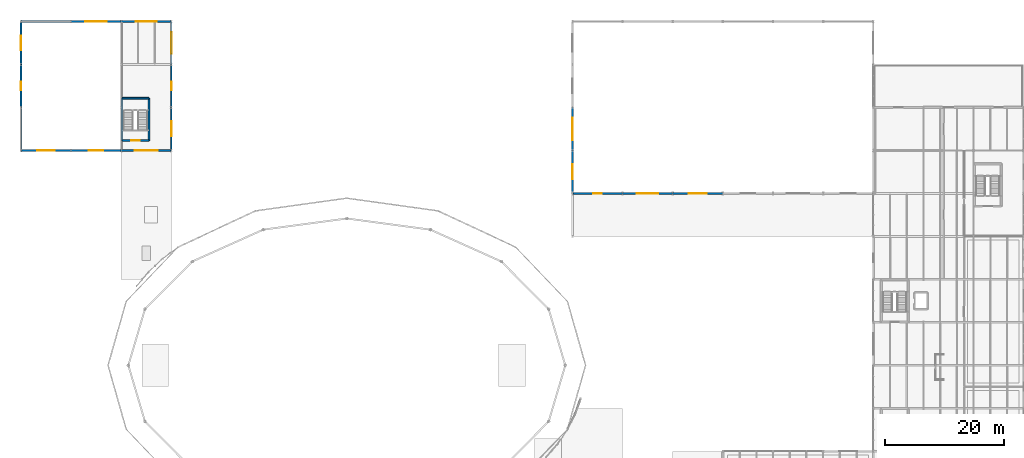
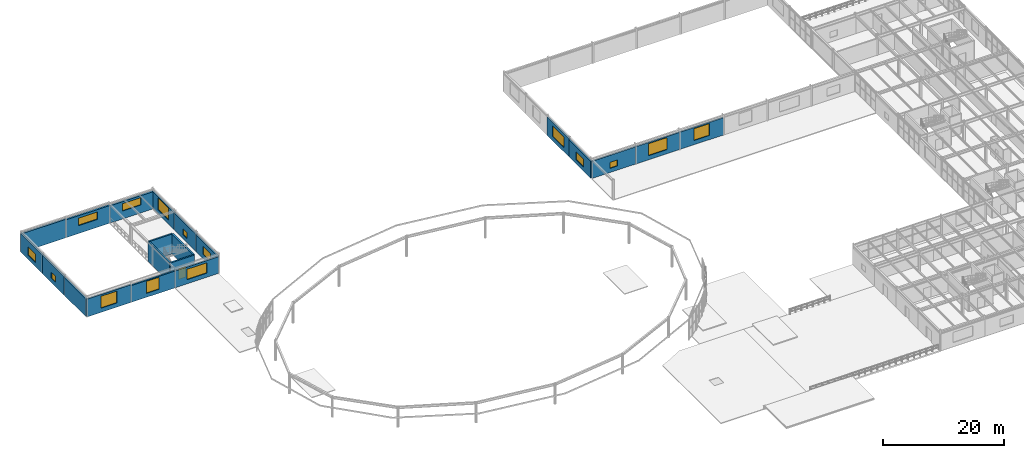
# One storey, part 63 of 73: 21 walls, 15 windows, 1 door, 16 openings.
"""IFC4 building model written with IfcOpenShell, lengths in metres."""

from ifc_helpers import new_model, si_unit, derived_unit, direction, frame, frame_2d, origin, place, context, subcontext, project, spatial, rectangle, extrude, material, layer, layer_set, type_object, element, fill, save


model = new_model("IFC4")

# Units and contexts
model_context = context("Model", 3, precision=1e-05, world=origin(), true_north=direction((0.0, 1.0)))
body_context = subcontext(model_context, "Body", "Model", "MODEL_VIEW")
ifc_project = project(units=[si_unit("LENGTHUNIT", "METRE"), si_unit("AREAUNIT", "SQUARE_METRE"), si_unit("VOLUMEUNIT", "CUBIC_METRE"), si_unit("PLANEANGLEUNIT", "RADIAN"), si_unit("MASSUNIT", "GRAM", prefix="KILO"), derived_unit("THERMALTRANSMITTANCEUNIT", [(si_unit("MASSUNIT", "GRAM", prefix="KILO"), 1), (si_unit("TIMEUNIT", "SECOND"), -3), (si_unit("THERMODYNAMICTEMPERATUREUNIT", "KELVIN"), -1)])], contexts=[model_context])

# Site, building, storey
site_placement = place(None, origin())
site = spatial("IfcSite", under=ifc_project, at=site_placement, CompositionType="ELEMENT")
building_placement = place(site_placement, origin())
building = spatial("IfcBuilding", under=site, at=building_placement, Name="Kharveza Railside Sports Centre", CompositionType="ELEMENT")
storey_placement = place(building_placement, frame((0.0, 0.0, 8.699951171875)))
storey = spatial("IfcBuildingStorey", under=building, at=storey_placement, Name="L02", CompositionType="ELEMENT", Elevation=8.699951171875)

# Wall, opening, window
ifc_material_1 = material(Name="Acoustic mineral-wool metal cladding panel")
ifc_layer_1 = layer(ifc_material_1, 0.340087890625, Name="Acoustic mineral-wool metal cladding panel")
ifc_layer_set_1 = layer_set([ifc_layer_1], Name="Acoustic mineral-wool metal cladding panel")
wall_type_1 = type_object("IfcWallType", Name="WL-AC340", PredefinedType="STANDARD", material=ifc_layer_set_1)
wall_1_placement = place(storey_placement, frame((16.800048828125, 108.0, 0.0), z_axis=(0.0, 0.0, 1.0), x_axis=(-1.0, 0.0, 0.0)))
wall_1 = element("IfcWall", 1, at=wall_1_placement, inside=storey, type_object=wall_type_1, Name="WL-EXT-L02-200", PredefinedType="STANDARD", context=body_context, shape_type="SweptSolid", body=[
    extrude(rectangle(XDim=8.400146484375, YDim=0.340087890625, at=frame_2d((4.2001953125, 0.0))), origin(), (0.0, 0.0, 1.0), 3.594970703125),
])
opening_1_placement = place(wall_1_placement, frame((2.39990234375, 0.0, 1.60009765625)))
opening_1 = element("IfcOpeningElement", 2, at=opening_1_placement, cuts=wall_1, Name="Opening WN11", PredefinedType="OPENING", context=body_context, shape_type="SweptSolid", body=[
    extrude(rectangle(XDim=3.60009765625, YDim=1.5, at=frame_2d((1.800048828125, 0.75))), frame((0.0, 0.19482421875, 0.0), z_axis=(0.0, -1.0, 0.0), x_axis=(1.0, 0.0, 0.0)), (0.0, 0.0, 1.0), 0.389892578125),
])
ifc_material_2 = material(Name="Low-E solar-control laminated glass", Category="glass")
window_type_1 = type_object("IfcWindowType", Name="WN-F11", PartitioningType="SINGLE_PANEL", PredefinedType="WINDOW", material=ifc_material_2)
window_1_placement = place(opening_1_placement, origin())
window_1 = element("IfcWindow", 3, at=window_1_placement, inside=storey, type_object=window_type_1, Name="WN-EXT-L02-114", OverallHeight=1.5, OverallWidth=3.60009765625, PartitioningType="SINGLE_PANEL", PredefinedType="WINDOW", context=body_context, shape_type="SweptSolid", body=[
    extrude(rectangle(XDim=3.60009765625, YDim=1.5, at=frame_2d((1.800048828125, 0.75))), frame((0.0, 0.030029296875, 0.0), z_axis=(0.0, -1.0, 0.0), x_axis=(1.0, 0.0, 0.0)), (0.0, 0.0, 1.0), 0.06005859375),
])
fill(opening_1, window_1)

# Wall
wall_2_placement = place(storey_placement, frame((8.39990234375, 108.0, 0.0), z_axis=(0.0, 0.0, 1.0), x_axis=(-1.0, 0.0, 0.0)))
element("IfcWall", 4, at=wall_2_placement, inside=storey, type_object=wall_type_1, Name="WL-EXT-L02-201", PredefinedType="STANDARD", context=body_context, shape_type="SweptSolid", body=[
    extrude(rectangle(XDim=8.39990234375, YDim=0.340087890625, at=frame_2d((4.199951171875, 0.0))), origin(), (0.0, 0.0, 1.0), 3.7451171875),
])

# Wall, opening, window
wall_3_placement = place(storey_placement, frame((25.199951171875, 108.0, 0.0), z_axis=(0.0, 0.0, 1.0), x_axis=(-1.0, 0.0, 0.0)))
wall_3 = element("IfcWall", 5, at=wall_3_placement, inside=storey, type_object=wall_type_1, Name="WL-EXT-L02-211", PredefinedType="STANDARD", context=body_context, shape_type="SweptSolid", body=[
    extrude(rectangle(XDim=8.39990234375, YDim=0.340087890625, at=frame_2d((4.199951171875, 0.0))), origin(), (0.0, 0.0, 1.0), 3.485107421875),
])
opening_2_placement = place(wall_3_placement, frame((2.39990234375, 0.0, 1.60009765625)))
opening_2 = element("IfcOpeningElement", 6, at=opening_2_placement, cuts=wall_3, Name="Opening WN11", PredefinedType="OPENING", context=body_context, shape_type="SweptSolid", body=[
    extrude(rectangle(XDim=3.60009765625, YDim=1.5, at=frame_2d((1.800048828125, 0.75))), frame((0.0, 0.19482421875, 0.0), z_axis=(0.0, -1.0, 0.0), x_axis=(1.0, 0.0, 0.0)), (0.0, 0.0, 1.0), 0.389892578125),
])
window_2_placement = place(opening_2_placement, origin())
window_2 = element("IfcWindow", 7, at=window_2_placement, inside=storey, type_object=window_type_1, Name="WN-EXT-L02-123", OverallHeight=1.5, OverallWidth=3.60009765625, PartitioningType="SINGLE_PANEL", PredefinedType="WINDOW", context=body_context, shape_type="SweptSolid", body=[
    extrude(rectangle(XDim=3.60009765625, YDim=1.5, at=frame_2d((1.800048828125, 0.75))), frame((0.0, 0.030029296875, 0.0), z_axis=(0.0, -1.0, 0.0), x_axis=(1.0, 0.0, 0.0)), (0.0, 0.0, 1.0), 0.06005859375),
])
fill(opening_2, window_2)

# Wall, opening, door
ifc_material_3 = material(Name="Concrete C35/45", Category="concrete")
ifc_layer_2 = layer(ifc_material_3, 0.300048828125, Name="Concrete C35/45")
ifc_layer_set_2 = layer_set([ifc_layer_2], Name="Concrete C35/45")
wall_type_2 = type_object("IfcWallType", Name="WL-CR300", PredefinedType="SHEAR", material=ifc_layer_set_2)
wall_4_placement = place(storey_placement, frame((16.949951171875, 88.050048828125, 0.0), z_axis=(0.0, 0.0, 1.0), x_axis=(1.0, 0.0, 0.0)))
wall_4 = element("IfcWall", 8, at=wall_4_placement, inside=storey, type_object=wall_type_2, Name="WL-CORE-ST6-L02-S", PredefinedType="SHEAR", context=body_context, shape_type="SweptSolid", body=[
    extrude(rectangle(XDim=4.5, YDim=0.300048828125, at=frame_2d((2.25, 0.0))), origin(), (0.0, 0.0, 1.0), 4.0),
])
opening_3_placement = place(wall_4_placement, frame((1.550048828125, 0.0, 0.0)))
opening_3 = element("IfcOpeningElement", 9, at=opening_3_placement, cuts=wall_4, Name="Opening D09", PredefinedType="OPENING", context=body_context, shape_type="SweptSolid", body=[
    extrude(rectangle(XDim=1.39990234375, YDim=2.199951171875, at=frame_2d((0.699951171875, 1.10009765625))), frame((0.0, 0.1748046875, 0.0), z_axis=(0.0, -1.0, 0.0), x_axis=(1.0, 0.0, 0.0)), (0.0, 0.0, 1.0), 0.349853515625),
])
ifc_material_4 = material(Name="Fire-rated hardwood door leaf", Category="wood")
door_type = type_object("IfcDoorType", Name="DR-ST02", OperationType="NOTDEFINED", PredefinedType="DOOR", material=ifc_material_4)
door_placement = place(opening_3_placement, frame((1.39990234375, 0.0, 0.0), z_axis=(0.0, 0.0, 1.0), x_axis=(-1.0, 0.0, 0.0)))
door = element("IfcDoor", 10, at=door_placement, inside=storey, type_object=door_type, Name="DR-ST-ST6-L02", OperationType="SINGLE_SWING_RIGHT", OverallHeight=2.199951171875, OverallWidth=1.39990234375, PredefinedType="DOOR", context=body_context, shape_type="SweptSolid", body=[
    extrude(rectangle(XDim=1.39990234375, YDim=2.199951171875, at=frame_2d((0.699951171875, 1.10009765625))), frame((0.0, 0.02490234375, 0.0), z_axis=(0.0, -1.0, 0.0), x_axis=(1.0, 0.0, 0.0)), (0.0, 0.0, 1.0), 0.050048828125),
])
fill(opening_3, door)

# Walls
wall_5_placement = place(storey_placement, frame((21.449951171875, 88.050048828125, 0.0), z_axis=(0.0, 0.0, 1.0), x_axis=(0.0, 1.0, 0.0)))
element("IfcWall", 11, at=wall_5_placement, inside=storey, type_object=wall_type_2, Name="WL-CORE-ST6-L02-E", PredefinedType="SHEAR", context=body_context, shape_type="SweptSolid", body=[
    extrude(rectangle(XDim=7.099853515625, YDim=0.300048828125, at=frame_2d((3.5498046875, 0.0))), origin(), (0.0, 0.0, 1.0), 4.0),
])
wall_6_placement = place(storey_placement, frame((21.449951171875, 95.14990234375, 0.0), z_axis=(0.0, 0.0, 1.0), x_axis=(-1.0, 0.0, 0.0)))
element("IfcWall", 12, at=wall_6_placement, inside=storey, type_object=wall_type_2, Name="WL-CORE-ST6-L02-N", PredefinedType="SHEAR", context=body_context, shape_type="SweptSolid", body=[
    extrude(rectangle(XDim=4.5, YDim=0.300048828125, at=frame_2d((2.25, 0.0))), origin(), (0.0, 0.0, 1.0), 4.0),
])
wall_7_placement = place(storey_placement, frame((16.949951171875, 95.14990234375, 0.0), z_axis=(0.0, 0.0, 1.0), x_axis=(0.0, -1.0, 0.0)))
element("IfcWall", 13, at=wall_7_placement, inside=storey, type_object=wall_type_2, Name="WL-CORE-ST6-L02-W", PredefinedType="SHEAR", context=body_context, shape_type="SweptSolid", body=[
    extrude(rectangle(XDim=7.099853515625, YDim=0.300048828125, at=frame_2d((3.5498046875, 0.0))), origin(), (0.0, 0.0, 1.0), 4.0),
])

# Wall, opening, window
ifc_layer_3 = layer(ifc_material_1, 0.2900390625, Name="Acoustic mineral-wool metal cladding panel")
ifc_layer_set_3 = layer_set([ifc_layer_3], Name="Acoustic mineral-wool metal cladding panel")
wall_type_3 = type_object("IfcWallType", Name="WL-EX290", PredefinedType="STANDARD", material=ifc_layer_set_3)
wall_8_placement = place(storey_placement, frame((92.39990234375, 93.60009765625, 0.0), z_axis=(0.0, 0.0, 1.0), x_axis=(0.0, -1.0, 0.0)))
wall_8 = element("IfcWall", 14, at=wall_8_placement, inside=storey, type_object=wall_type_3, Name="WL-EXT-L02-189", PredefinedType="STANDARD", context=body_context, shape_type="SweptSolid", body=[
    extrude(rectangle(XDim=7.2001953125, YDim=0.2900390625, at=frame_2d((3.60009765625, 0.0))), origin(), (0.0, 0.0, 1.0), 3.675048828125),
])
opening_4_placement = place(wall_8_placement, frame((1.699951171875, 0.0, 0.85009765625)))
opening_4 = element("IfcOpeningElement", 15, at=opening_4_placement, cuts=wall_8, Name="Opening WN17", PredefinedType="OPENING", context=body_context, shape_type="SweptSolid", body=[
    extrude(rectangle(XDim=3.800048828125, YDim=2.10009765625, at=frame_2d((1.89990234375, 1.050048828125))), frame((0.0, 0.169921875, 0.0), z_axis=(0.0, -1.0, 0.0), x_axis=(1.0, 0.0, 0.0)), (0.0, 0.0, 1.0), 0.33984375),
])
window_type_2 = type_object("IfcWindowType", Name="WN-Z01", PartitioningType="SINGLE_PANEL", PredefinedType="WINDOW", material=ifc_material_2)
window_3_placement = place(opening_4_placement, origin())
window_3 = element("IfcWindow", 16, at=window_3_placement, inside=storey, type_object=window_type_2, Name="WN-EXT-L02-103", OverallHeight=2.10009765625, OverallWidth=3.800048828125, PartitioningType="SINGLE_PANEL", PredefinedType="WINDOW", context=body_context, shape_type="SweptSolid", body=[
    extrude(rectangle(XDim=3.800048828125, YDim=2.10009765625, at=frame_2d((1.89990234375, 1.050048828125))), frame((0.0, 0.030029296875, 0.0), z_axis=(0.0, -1.0, 0.0), x_axis=(1.0, 0.0, 0.0)), (0.0, 0.0, 1.0), 0.06005859375),
])
fill(opening_4, window_3)

wall_9_placement = place(storey_placement, frame((92.39990234375, 86.39990234375, 0.0), z_axis=(0.0, 0.0, 1.0), x_axis=(0.0, -1.0, 0.0)))
wall_9 = element("IfcWall", 17, at=wall_9_placement, inside=storey, type_object=wall_type_3, Name="WL-EXT-L02-190", PredefinedType="STANDARD", context=body_context, shape_type="SweptSolid", body=[
    extrude(rectangle(XDim=7.199951171875, YDim=0.2900390625, at=frame_2d((3.60009765625, 0.0))), origin(), (0.0, 0.0, 1.0), 3.485107421875),
])
opening_5_placement = place(wall_9_placement, frame((2.35009765625, 0.0, 0.85009765625)))
opening_5 = element("IfcOpeningElement", 18, at=opening_5_placement, cuts=wall_9, Name="Opening WN21", PredefinedType="OPENING", context=body_context, shape_type="SweptSolid", body=[
    extrude(rectangle(XDim=2.5, YDim=1.64990234375, at=frame_2d((1.25, 0.824951171875))), frame((0.0, 0.169921875, 0.0), z_axis=(0.0, -1.0, 0.0), x_axis=(1.0, 0.0, 0.0)), (0.0, 0.0, 1.0), 0.33984375),
])
window_type_3 = type_object("IfcWindowType", Name="WN-Z05", PartitioningType="SINGLE_PANEL", PredefinedType="WINDOW", material=ifc_material_2)
window_4_placement = place(opening_5_placement, origin())
window_4 = element("IfcWindow", 19, at=window_4_placement, inside=storey, type_object=window_type_3, Name="WN-EXT-L02-104", OverallHeight=1.64990234375, OverallWidth=2.5, PartitioningType="SINGLE_PANEL", PredefinedType="WINDOW", context=body_context, shape_type="SweptSolid", body=[
    extrude(rectangle(XDim=2.5, YDim=1.64990234375, at=frame_2d((1.25, 0.824951171875))), frame((0.0, 0.030029296875, 0.0), z_axis=(0.0, -1.0, 0.0), x_axis=(1.0, 0.0, 0.0)), (0.0, 0.0, 1.0), 0.06005859375),
])
fill(opening_5, window_4)

wall_10_placement = place(storey_placement, frame((92.39990234375, 79.199951171875, 0.0), z_axis=(0.0, 0.0, 1.0), x_axis=(1.0, 0.0, 0.0)))
wall_10 = element("IfcWall", 20, at=wall_10_placement, inside=storey, type_object=wall_type_3, Name="WL-EXT-L02-191", PredefinedType="STANDARD", context=body_context, shape_type="SweptSolid", body=[
    extrude(rectangle(XDim=8.400146484375, YDim=0.2900390625, at=frame_2d((4.2001953125, 0.0))), origin(), (0.0, 0.0, 1.0), 3.485107421875),
])
opening_6_placement = place(wall_10_placement, frame((3.5, 0.0, 0.85009765625)))
opening_6 = element("IfcOpeningElement", 21, at=opening_6_placement, cuts=wall_10, Name="Opening WN26", PredefinedType="OPENING", context=body_context, shape_type="SweptSolid", body=[
    extrude(rectangle(XDim=1.39990234375, YDim=1.199951171875, at=frame_2d((0.699951171875, 0.60009765625))), frame((0.0, 0.169921875, 0.0), z_axis=(0.0, -1.0, 0.0), x_axis=(1.0, 0.0, 0.0)), (0.0, 0.0, 1.0), 0.33984375),
])
window_type_4 = type_object("IfcWindowType", Name="WN-Z10", PartitioningType="SINGLE_PANEL", PredefinedType="WINDOW", material=ifc_material_2)
window_5_placement = place(opening_6_placement, origin())
window_5 = element("IfcWindow", 22, at=window_5_placement, inside=storey, type_object=window_type_4, Name="WN-EXT-L02-105", OverallHeight=1.199951171875, OverallWidth=1.39990234375, PartitioningType="SINGLE_PANEL", PredefinedType="WINDOW", context=body_context, shape_type="SweptSolid", body=[
    extrude(rectangle(XDim=1.39990234375, YDim=1.199951171875, at=frame_2d((0.699951171875, 0.60009765625))), frame((0.0, 0.030029296875, 0.0), z_axis=(0.0, -1.0, 0.0), x_axis=(1.0, 0.0, 0.0)), (0.0, 0.0, 1.0), 0.06005859375),
])
fill(opening_6, window_5)

wall_11_placement = place(storey_placement, frame((100.800048828125, 79.199951171875, 0.0), z_axis=(0.0, 0.0, 1.0), x_axis=(1.0, 0.0, 0.0)))
wall_11 = element("IfcWall", 23, at=wall_11_placement, inside=storey, type_object=wall_type_3, Name="WL-EXT-L02-192", PredefinedType="STANDARD", context=body_context, shape_type="SweptSolid", body=[
    extrude(rectangle(XDim=8.39990234375, YDim=0.2900390625, at=frame_2d((4.199951171875, 0.0))), origin(), (0.0, 0.0, 1.0), 3.485107421875),
])
opening_7_placement = place(wall_11_placement, frame((2.39990234375, 0.0, 0.85009765625)))
opening_7 = element("IfcOpeningElement", 24, at=opening_7_placement, cuts=wall_11, Name="Opening WN01", PredefinedType="OPENING", context=body_context, shape_type="SweptSolid", body=[
    extrude(rectangle(XDim=3.60009765625, YDim=2.39990234375, at=frame_2d((1.800048828125, 1.199951171875))), frame((0.0, 0.169921875, 0.0), z_axis=(0.0, -1.0, 0.0), x_axis=(1.0, 0.0, 0.0)), (0.0, 0.0, 1.0), 0.33984375),
])
window_type_5 = type_object("IfcWindowType", Name="WN-F01", PartitioningType="SINGLE_PANEL", PredefinedType="WINDOW", material=ifc_material_2)
window_6_placement = place(opening_7_placement, origin())
window_6 = element("IfcWindow", 25, at=window_6_placement, inside=storey, type_object=window_type_5, Name="WN-EXT-L02-106", OverallHeight=2.39990234375, OverallWidth=3.60009765625, PartitioningType="SINGLE_PANEL", PredefinedType="WINDOW", context=body_context, shape_type="SweptSolid", body=[
    extrude(rectangle(XDim=3.60009765625, YDim=2.39990234375, at=frame_2d((1.800048828125, 1.199951171875))), frame((0.0, 0.030029296875, 0.0), z_axis=(0.0, -1.0, 0.0), x_axis=(1.0, 0.0, 0.0)), (0.0, 0.0, 1.0), 0.06005859375),
])
fill(opening_7, window_6)

wall_12_placement = place(storey_placement, frame((109.199951171875, 79.199951171875, 0.0), z_axis=(0.0, 0.0, 1.0), x_axis=(1.0, 0.0, 0.0)))
wall_12 = element("IfcWall", 26, at=wall_12_placement, inside=storey, type_object=wall_type_3, Name="WL-EXT-L02-193", PredefinedType="STANDARD", context=body_context, shape_type="SweptSolid", body=[
    extrude(rectangle(XDim=8.400146484375, YDim=0.2900390625, at=frame_2d((4.2001953125, 0.0))), origin(), (0.0, 0.0, 1.0), 3.485107421875),
])
opening_8_placement = place(wall_12_placement, frame((2.699951171875, 0.0, 0.85009765625)))
opening_8 = element("IfcOpeningElement", 27, at=opening_8_placement, cuts=wall_12, Name="Opening WN02", PredefinedType="OPENING", context=body_context, shape_type="SweptSolid", body=[
    extrude(rectangle(XDim=3.0, YDim=2.39990234375, at=frame_2d((1.5, 1.199951171875))), frame((0.0, 0.169921875, 0.0), z_axis=(0.0, -1.0, 0.0), x_axis=(1.0, 0.0, 0.0)), (0.0, 0.0, 1.0), 0.33984375),
])
window_type_6 = type_object("IfcWindowType", Name="WN-F02", PartitioningType="SINGLE_PANEL", PredefinedType="WINDOW", material=ifc_material_2)
window_7_placement = place(opening_8_placement, origin())
window_7 = element("IfcWindow", 28, at=window_7_placement, inside=storey, type_object=window_type_6, Name="WN-EXT-L02-107", OverallHeight=2.39990234375, OverallWidth=3.0, PartitioningType="SINGLE_PANEL", PredefinedType="WINDOW", context=body_context, shape_type="SweptSolid", body=[
    extrude(rectangle(XDim=3.0, YDim=2.39990234375, at=frame_2d((1.5, 1.199951171875))), frame((0.0, 0.030029296875, 0.0), z_axis=(0.0, -1.0, 0.0), x_axis=(1.0, 0.0, 0.0)), (0.0, 0.0, 1.0), 0.06005859375),
])
fill(opening_8, window_7)

wall_13_placement = place(storey_placement, frame((0.0, 108.0, 0.0), z_axis=(0.0, 0.0, 1.0), x_axis=(0.0, -1.0, 0.0)))
wall_13 = element("IfcWall", 29, at=wall_13_placement, inside=storey, type_object=wall_type_3, Name="WL-EXT-L02-202", PredefinedType="STANDARD", context=body_context, shape_type="SweptSolid", body=[
    extrude(rectangle(XDim=7.199951171875, YDim=0.2900390625, at=frame_2d((3.60009765625, 0.0))), origin(), (0.0, 0.0, 1.0), 3.7451171875),
])
opening_9_placement = place(wall_13_placement, frame((2.35009765625, 0.0, 0.85009765625)))
opening_9 = element("IfcOpeningElement", 30, at=opening_9_placement, cuts=wall_13, Name="Opening WN21", PredefinedType="OPENING", context=body_context, shape_type="SweptSolid", body=[
    extrude(rectangle(XDim=2.5, YDim=1.64990234375, at=frame_2d((1.25, 0.824951171875))), frame((0.0, 0.169921875, 0.0), z_axis=(0.0, -1.0, 0.0), x_axis=(1.0, 0.0, 0.0)), (0.0, 0.0, 1.0), 0.33984375),
])
window_8_placement = place(opening_9_placement, origin())
window_8 = element("IfcWindow", 31, at=window_8_placement, inside=storey, type_object=window_type_3, Name="WN-EXT-L02-115", OverallHeight=1.64990234375, OverallWidth=2.5, PartitioningType="SINGLE_PANEL", PredefinedType="WINDOW", context=body_context, shape_type="SweptSolid", body=[
    extrude(rectangle(XDim=2.5, YDim=1.64990234375, at=frame_2d((1.25, 0.824951171875))), frame((0.0, 0.030029296875, 0.0), z_axis=(0.0, -1.0, 0.0), x_axis=(1.0, 0.0, 0.0)), (0.0, 0.0, 1.0), 0.06005859375),
])
fill(opening_9, window_8)

wall_14_placement = place(storey_placement, frame((0.0, 100.800048828125, 0.0), z_axis=(0.0, 0.0, 1.0), x_axis=(0.0, -1.0, 0.0)))
wall_14 = element("IfcWall", 32, at=wall_14_placement, inside=storey, type_object=wall_type_3, Name="WL-EXT-L02-203", PredefinedType="STANDARD", context=body_context, shape_type="SweptSolid", body=[
    extrude(rectangle(XDim=7.199951171875, YDim=0.2900390625, at=frame_2d((3.60009765625, 0.0))), origin(), (0.0, 0.0, 1.0), 3.7451171875),
])
opening_10_placement = place(wall_14_placement, frame((2.89990234375, 0.0, 0.85009765625)))
opening_10 = element("IfcOpeningElement", 33, at=opening_10_placement, cuts=wall_14, Name="Opening WN26", PredefinedType="OPENING", context=body_context, shape_type="SweptSolid", body=[
    extrude(rectangle(XDim=1.39990234375, YDim=1.199951171875, at=frame_2d((0.699951171875, 0.60009765625))), frame((0.0, 0.169921875, 0.0), z_axis=(0.0, -1.0, 0.0), x_axis=(1.0, 0.0, 0.0)), (0.0, 0.0, 1.0), 0.33984375),
])
window_9_placement = place(opening_10_placement, origin())
window_9 = element("IfcWindow", 34, at=window_9_placement, inside=storey, type_object=window_type_4, Name="WN-EXT-L02-116", OverallHeight=1.199951171875, OverallWidth=1.39990234375, PartitioningType="SINGLE_PANEL", PredefinedType="WINDOW", context=body_context, shape_type="SweptSolid", body=[
    extrude(rectangle(XDim=1.39990234375, YDim=1.199951171875, at=frame_2d((0.699951171875, 0.60009765625))), frame((0.0, 0.030029296875, 0.0), z_axis=(0.0, -1.0, 0.0), x_axis=(1.0, 0.0, 0.0)), (0.0, 0.0, 1.0), 0.06005859375),
])
fill(opening_10, window_9)

# Wall
wall_15_placement = place(storey_placement, frame((0.0, 93.60009765625, 0.0), z_axis=(0.0, 0.0, 1.0), x_axis=(0.0, -1.0, 0.0)))
element("IfcWall", 35, at=wall_15_placement, inside=storey, type_object=wall_type_3, Name="WL-EXT-L02-204", PredefinedType="STANDARD", context=body_context, shape_type="SweptSolid", body=[
    extrude(rectangle(XDim=7.2001953125, YDim=0.2900390625, at=frame_2d((3.60009765625, 0.0))), origin(), (0.0, 0.0, 1.0), 3.5849609375),
])

# Wall, opening, window
wall_16_placement = place(storey_placement, frame((0.0, 86.39990234375, 0.0), z_axis=(0.0, 0.0, 1.0), x_axis=(1.0, 0.0, 0.0)))
wall_16 = element("IfcWall", 36, at=wall_16_placement, inside=storey, type_object=wall_type_3, Name="WL-EXT-L02-205", PredefinedType="STANDARD", context=body_context, shape_type="SweptSolid", body=[
    extrude(rectangle(XDim=8.39990234375, YDim=0.2900390625, at=frame_2d((4.199951171875, 0.0))), origin(), (0.0, 0.0, 1.0), 3.5849609375),
])
opening_11_placement = place(wall_16_placement, frame((2.699951171875, 0.0, 0.85009765625)))
opening_11 = element("IfcOpeningElement", 37, at=opening_11_placement, cuts=wall_16, Name="Opening WN02", PredefinedType="OPENING", context=body_context, shape_type="SweptSolid", body=[
    extrude(rectangle(XDim=3.0, YDim=2.39990234375, at=frame_2d((1.5, 1.199951171875))), frame((0.0, 0.169921875, 0.0), z_axis=(0.0, -1.0, 0.0), x_axis=(1.0, 0.0, 0.0)), (0.0, 0.0, 1.0), 0.33984375),
])
window_10_placement = place(opening_11_placement, origin())
window_10 = element("IfcWindow", 38, at=window_10_placement, inside=storey, type_object=window_type_6, Name="WN-EXT-L02-117", OverallHeight=2.39990234375, OverallWidth=3.0, PartitioningType="SINGLE_PANEL", PredefinedType="WINDOW", context=body_context, shape_type="SweptSolid", body=[
    extrude(rectangle(XDim=3.0, YDim=2.39990234375, at=frame_2d((1.5, 1.199951171875))), frame((0.0, 0.030029296875, 0.0), z_axis=(0.0, -1.0, 0.0), x_axis=(1.0, 0.0, 0.0)), (0.0, 0.0, 1.0), 0.06005859375),
])
fill(opening_11, window_10)

wall_17_placement = place(storey_placement, frame((8.39990234375, 86.39990234375, 0.0), z_axis=(0.0, 0.0, 1.0), x_axis=(1.0, 0.0, 0.0)))
wall_17 = element("IfcWall", 39, at=wall_17_placement, inside=storey, type_object=wall_type_3, Name="WL-EXT-L02-206", PredefinedType="STANDARD", context=body_context, shape_type="SweptSolid", body=[
    extrude(rectangle(XDim=8.400146484375, YDim=0.2900390625, at=frame_2d((4.2001953125, 0.0))), origin(), (0.0, 0.0, 1.0), 3.385009765625),
])
opening_12_placement = place(wall_17_placement, frame((3.0, 0.0, 0.804931640625)))
opening_12 = element("IfcOpeningElement", 40, at=opening_12_placement, cuts=wall_17, Name="Opening WN03", PredefinedType="OPENING", context=body_context, shape_type="SweptSolid", body=[
    extrude(rectangle(XDim=2.39990234375, YDim=2.39990234375, at=frame_2d((1.199951171875, 1.199951171875))), frame((0.0, 0.169921875, 0.0), z_axis=(0.0, -1.0, 0.0), x_axis=(1.0, 0.0, 0.0)), (0.0, 0.0, 1.0), 0.33984375),
])
window_type_7 = type_object("IfcWindowType", Name="WN-F03", PartitioningType="SINGLE_PANEL", PredefinedType="WINDOW", material=ifc_material_2)
window_11_placement = place(opening_12_placement, origin())
window_11 = element("IfcWindow", 41, at=window_11_placement, inside=storey, type_object=window_type_7, Name="WN-EXT-L02-118", OverallHeight=2.39990234375, OverallWidth=2.39990234375, PartitioningType="SINGLE_PANEL", PredefinedType="WINDOW", context=body_context, shape_type="SweptSolid", body=[
    extrude(rectangle(XDim=2.39990234375, YDim=2.39990234375, at=frame_2d((1.199951171875, 1.199951171875))), frame((0.0, 0.030029296875, 0.0), z_axis=(0.0, -1.0, 0.0), x_axis=(1.0, 0.0, 0.0)), (0.0, 0.0, 1.0), 0.06005859375),
])
fill(opening_12, window_11)

wall_18_placement = place(storey_placement, frame((16.800048828125, 86.39990234375, 0.0), z_axis=(0.0, 0.0, 1.0), x_axis=(1.0, 0.0, 0.0)))
wall_18 = element("IfcWall", 42, at=wall_18_placement, inside=storey, type_object=wall_type_3, Name="WL-EXT-L02-207", PredefinedType="STANDARD", context=body_context, shape_type="SweptSolid", body=[
    extrude(rectangle(XDim=8.39990234375, YDim=0.2900390625, at=frame_2d((4.199951171875, 0.0))), origin(), (0.0, 0.0, 1.0), 3.385009765625),
])
opening_13_placement = place(wall_18_placement, frame((2.300048828125, 0.0, 0.85009765625)))
opening_13 = element("IfcOpeningElement", 43, at=opening_13_placement, cuts=wall_18, Name="Opening WN17", PredefinedType="OPENING", context=body_context, shape_type="SweptSolid", body=[
    extrude(rectangle(XDim=3.800048828125, YDim=2.10009765625, at=frame_2d((1.89990234375, 1.050048828125))), frame((0.0, 0.169921875, 0.0), z_axis=(0.0, -1.0, 0.0), x_axis=(1.0, 0.0, 0.0)), (0.0, 0.0, 1.0), 0.33984375),
])
window_12_placement = place(opening_13_placement, origin())
window_12 = element("IfcWindow", 44, at=window_12_placement, inside=storey, type_object=window_type_2, Name="WN-EXT-L02-119", OverallHeight=2.10009765625, OverallWidth=3.800048828125, PartitioningType="SINGLE_PANEL", PredefinedType="WINDOW", context=body_context, shape_type="SweptSolid", body=[
    extrude(rectangle(XDim=3.800048828125, YDim=2.10009765625, at=frame_2d((1.89990234375, 1.050048828125))), frame((0.0, 0.030029296875, 0.0), z_axis=(0.0, -1.0, 0.0), x_axis=(1.0, 0.0, 0.0)), (0.0, 0.0, 1.0), 0.06005859375),
])
fill(opening_13, window_12)

wall_19_placement = place(storey_placement, frame((25.199951171875, 86.39990234375, 0.0), z_axis=(0.0, 0.0, 1.0), x_axis=(0.0, 1.0, 0.0)))
wall_19 = element("IfcWall", 45, at=wall_19_placement, inside=storey, type_object=wall_type_3, Name="WL-EXT-L02-208", PredefinedType="STANDARD", context=body_context, shape_type="SweptSolid", body=[
    extrude(rectangle(XDim=7.2001953125, YDim=0.2900390625, at=frame_2d((3.60009765625, 0.0))), origin(), (0.0, 0.0, 1.0), 3.385009765625),
])
opening_14_placement = place(wall_19_placement, frame((2.35009765625, 0.0, 0.85009765625)))
opening_14 = element("IfcOpeningElement", 46, at=opening_14_placement, cuts=wall_19, Name="Opening WN21", PredefinedType="OPENING", context=body_context, shape_type="SweptSolid", body=[
    extrude(rectangle(XDim=2.5, YDim=1.64990234375, at=frame_2d((1.25, 0.824951171875))), frame((0.0, 0.169921875, 0.0), z_axis=(0.0, -1.0, 0.0), x_axis=(1.0, 0.0, 0.0)), (0.0, 0.0, 1.0), 0.33984375),
])
window_13_placement = place(opening_14_placement, origin())
window_13 = element("IfcWindow", 47, at=window_13_placement, inside=storey, type_object=window_type_3, Name="WN-EXT-L02-120", OverallHeight=1.64990234375, OverallWidth=2.5, PartitioningType="SINGLE_PANEL", PredefinedType="WINDOW", context=body_context, shape_type="SweptSolid", body=[
    extrude(rectangle(XDim=2.5, YDim=1.64990234375, at=frame_2d((1.25, 0.824951171875))), frame((0.0, 0.030029296875, 0.0), z_axis=(0.0, -1.0, 0.0), x_axis=(1.0, 0.0, 0.0)), (0.0, 0.0, 1.0), 0.06005859375),
])
fill(opening_14, window_13)

wall_20_placement = place(storey_placement, frame((25.199951171875, 93.60009765625, 0.0), z_axis=(0.0, 0.0, 1.0), x_axis=(0.0, 1.0, 0.0)))
wall_20 = element("IfcWall", 48, at=wall_20_placement, inside=storey, type_object=wall_type_3, Name="WL-EXT-L02-209", PredefinedType="STANDARD", context=body_context, shape_type="SweptSolid", body=[
    extrude(rectangle(XDim=7.199951171875, YDim=0.2900390625, at=frame_2d((3.60009765625, 0.0))), origin(), (0.0, 0.0, 1.0), 3.485107421875),
])
opening_15_placement = place(wall_20_placement, frame((2.89990234375, 0.0, 0.85009765625)))
opening_15 = element("IfcOpeningElement", 49, at=opening_15_placement, cuts=wall_20, Name="Opening WN26", PredefinedType="OPENING", context=body_context, shape_type="SweptSolid", body=[
    extrude(rectangle(XDim=1.39990234375, YDim=1.199951171875, at=frame_2d((0.699951171875, 0.60009765625))), frame((0.0, 0.169921875, 0.0), z_axis=(0.0, -1.0, 0.0), x_axis=(1.0, 0.0, 0.0)), (0.0, 0.0, 1.0), 0.33984375),
])
window_14_placement = place(opening_15_placement, origin())
window_14 = element("IfcWindow", 50, at=window_14_placement, inside=storey, type_object=window_type_4, Name="WN-EXT-L02-121", OverallHeight=1.199951171875, OverallWidth=1.39990234375, PartitioningType="SINGLE_PANEL", PredefinedType="WINDOW", context=body_context, shape_type="SweptSolid", body=[
    extrude(rectangle(XDim=1.39990234375, YDim=1.199951171875, at=frame_2d((0.699951171875, 0.60009765625))), frame((0.0, 0.030029296875, 0.0), z_axis=(0.0, -1.0, 0.0), x_axis=(1.0, 0.0, 0.0)), (0.0, 0.0, 1.0), 0.06005859375),
])
fill(opening_15, window_14)

wall_21_placement = place(storey_placement, frame((25.199951171875, 100.800048828125, 0.0), z_axis=(0.0, 0.0, 1.0), x_axis=(0.0, 1.0, 0.0)))
wall_21 = element("IfcWall", 51, at=wall_21_placement, inside=storey, type_object=wall_type_3, Name="WL-EXT-L02-210", PredefinedType="STANDARD", context=body_context, shape_type="SweptSolid", body=[
    extrude(rectangle(XDim=7.199951171875, YDim=0.2900390625, at=frame_2d((3.60009765625, 0.0))), origin(), (0.0, 0.0, 1.0), 3.485107421875),
])
opening_16_placement = place(wall_21_placement, frame((1.800048828125, 0.0, 0.85009765625)))
opening_16 = element("IfcOpeningElement", 52, at=opening_16_placement, cuts=wall_21, Name="Opening WN01", PredefinedType="OPENING", context=body_context, shape_type="SweptSolid", body=[
    extrude(rectangle(XDim=3.60009765625, YDim=2.39990234375, at=frame_2d((1.800048828125, 1.199951171875))), frame((0.0, 0.169921875, 0.0), z_axis=(0.0, -1.0, 0.0), x_axis=(1.0, 0.0, 0.0)), (0.0, 0.0, 1.0), 0.33984375),
])
window_15_placement = place(opening_16_placement, origin())
window_15 = element("IfcWindow", 53, at=window_15_placement, inside=storey, type_object=window_type_5, Name="WN-EXT-L02-122", OverallHeight=2.39990234375, OverallWidth=3.60009765625, PartitioningType="SINGLE_PANEL", PredefinedType="WINDOW", context=body_context, shape_type="SweptSolid", body=[
    extrude(rectangle(XDim=3.60009765625, YDim=2.39990234375, at=frame_2d((1.800048828125, 1.199951171875))), frame((0.0, 0.030029296875, 0.0), z_axis=(0.0, -1.0, 0.0), x_axis=(1.0, 0.0, 0.0)), (0.0, 0.0, 1.0), 0.06005859375),
])
fill(opening_16, window_15)

save(model, "model.ifc")
